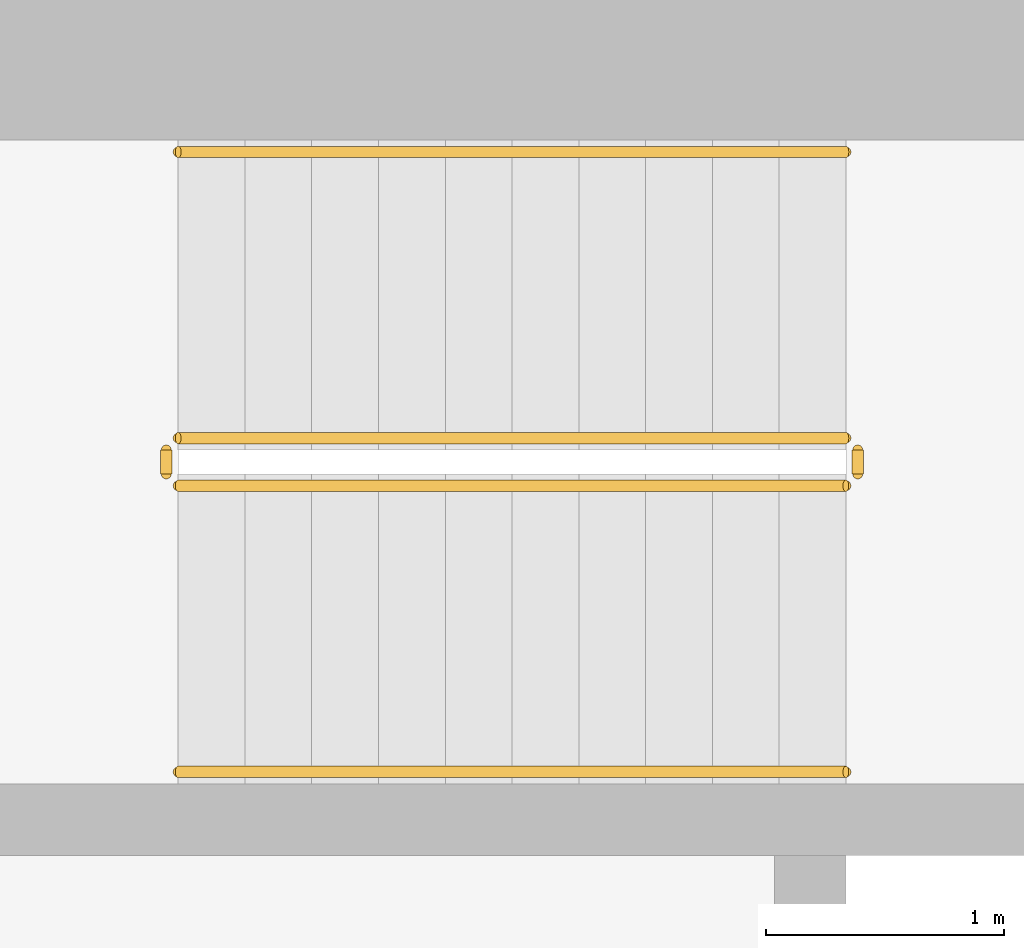
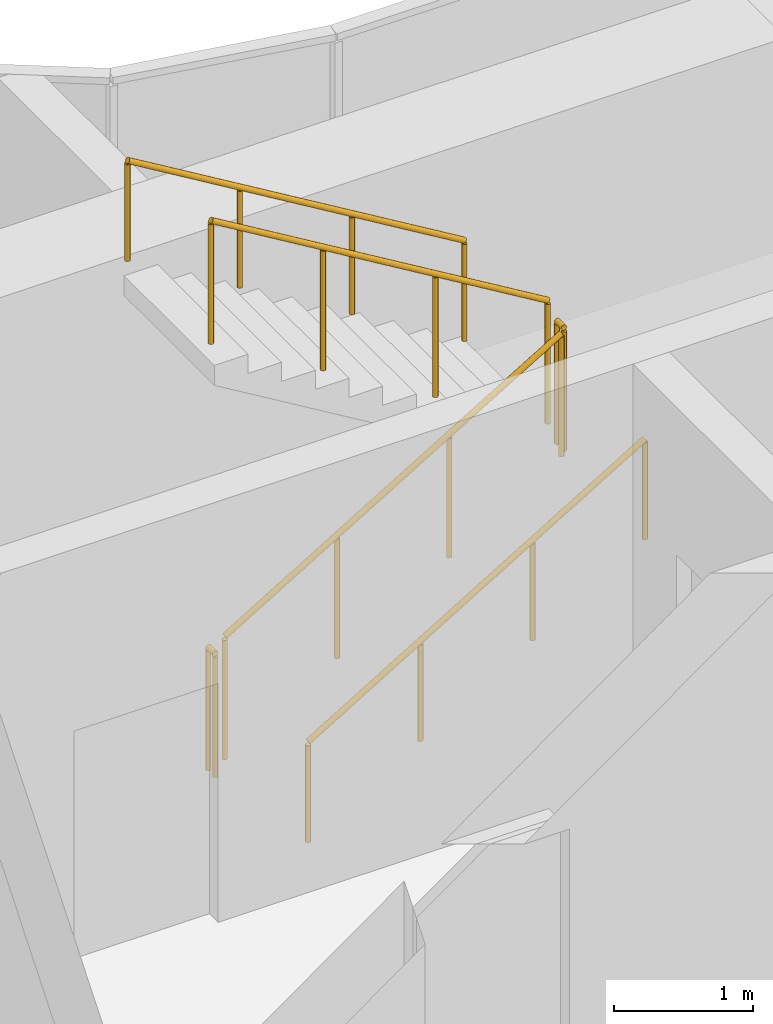
# One storey, part 19 of 23: 6 railings.
"""IFC4 building model written with IfcOpenShell, lengths in metres."""

from ifc_helpers import new_model, si_unit, direction, frame, origin, origin_2d, place, context, subcontext, project, spatial, circle, extrude, material, type_object, element, save


model = new_model("IFC4")

# Units and contexts
model_context = context("Model", 3, precision=1e-05, world=origin(), true_north=direction((0.0, 1.0)))
body_context = subcontext(model_context, "Body", "Model", "MODEL_VIEW")
ifc_project = project(units=[si_unit("LENGTHUNIT", "METRE"), si_unit("AREAUNIT", "SQUARE_METRE"), si_unit("VOLUMEUNIT", "CUBIC_METRE"), si_unit("PLANEANGLEUNIT", "RADIAN"), si_unit("MASSUNIT", "GRAM", prefix="KILO")], contexts=[model_context])

# Site, building, storey
site_placement = place(None, origin())
site = spatial("IfcSite", under=ifc_project, at=site_placement, CompositionType="ELEMENT")
building_placement = place(site_placement, origin())
building = spatial("IfcBuilding", under=site, at=building_placement, Name="Ogive Portal Towers", CompositionType="ELEMENT")
storey_placement = place(building_placement, frame((0.0, 0.0, 127.800048828125)))
storey = spatial("IfcBuildingStorey", under=building, at=storey_placement, Name="L31", CompositionType="ELEMENT", Elevation=127.800048828125)

# Railings
ifc_material_1 = material(Name="Stainless steel balustrade", Category="steel")
railing_type_1 = type_object("IfcRailingType", Name="INT-GUARD", PredefinedType="GUARDRAIL", material=ifc_material_1)
railing_1_placement = place(storey_placement, frame((52.550048828125, 37.60009765625, 0.168212890625)))
element("IfcRailing", 1, at=railing_1_placement, inside=storey, type_object=railing_type_1, Name="L31 ST-A2 stair guard 1", PredefinedType="GUARDRAIL", context=body_context, shape_type="SweptSolid", body=[
    extrude(circle(Radius=0.02392578125, at=origin_2d()), frame((0.0, 0.0, 1.076171875), z_axis=(0.857275202839, 0.0, 0.514858452973), x_axis=(0.0, 1.0, 0.0)), (0.0, 0.0, 1.0), 3.26611328125),
    extrude(circle(Radius=0.02099609375, at=origin_2d()), origin(), (0.0, 0.0, 1.0), 1.052001953125),
    extrude(circle(Radius=0.02099609375, at=origin_2d()), frame((0.933349609375, 0.0, 0.560546875)), (0.0, 0.0, 1.0), 1.052001953125),
    extrude(circle(Radius=0.02099609375, at=origin_2d()), frame((1.86669921875, 0.0, 1.12109375)), (0.0, 0.0, 1.0), 1.052001953125),
    extrude(circle(Radius=0.02099609375, at=origin_2d()), frame((2.800048828125, 0.0, 1.681640625)), (0.0, 0.0, 1.0), 1.052001953125),
])
railing_2_placement = place(storey_placement, frame((55.39990234375, 37.64990234375, 1.849853515625)))
element("IfcRailing", 2, at=railing_2_placement, inside=storey, type_object=railing_type_1, Name="L31 ST-A2 stair guard 2", PredefinedType="GUARDRAIL", context=body_context, shape_type="SweptSolid", body=[
    extrude(circle(Radius=0.02392578125, at=origin_2d()), frame((0.0, 0.0, 1.076171875), z_axis=(0.0, 1.0, 0.0), x_axis=(-1.0, 0.0, 0.0)), (0.0, 0.0, 1.0), 0.10009765625),
    extrude(circle(Radius=0.02099609375, at=origin_2d()), origin(), (0.0, 0.0, 1.0), 1.052001953125),
    extrude(circle(Radius=0.02099609375, at=origin_2d()), frame((0.0, 0.10009765625, 0.0)), (0.0, 0.0, 1.0), 1.052001953125),
])
railing_3_placement = place(storey_placement, frame((55.35009765625, 37.800048828125, 2.01806640625)))
element("IfcRailing", 3, at=railing_3_placement, inside=storey, type_object=railing_type_1, Name="L31 ST-A2 stair guard 3", PredefinedType="GUARDRAIL", context=body_context, shape_type="SweptSolid", body=[
    extrude(circle(Radius=0.02392578125, at=origin_2d()), frame((0.0, 0.0, 1.076171875), z_axis=(-0.857242210791, 0.0, 0.514913383045), x_axis=(0.0, -1.0, 0.0)), (0.0, 0.0, 1.0), 3.266357421875),
    extrude(circle(Radius=0.02099609375, at=origin_2d()), origin(), (0.0, 0.0, 1.0), 1.052001953125),
    extrude(circle(Radius=0.02099609375, at=origin_2d()), frame((-0.933349609375, 0.0, 0.560546875)), (0.0, 0.0, 1.0), 1.052001953125),
    extrude(circle(Radius=0.02099609375, at=origin_2d()), frame((-1.86669921875, 0.0, 1.121337890625)), (0.0, 0.0, 1.0), 1.052001953125),
    extrude(circle(Radius=0.02099609375, at=origin_2d()), frame((-2.800048828125, 0.0, 1.681884765625)), (0.0, 0.0, 1.0), 1.052001953125),
])
railing_4_placement = place(storey_placement, frame((52.5, 37.64990234375, 0.0)))
element("IfcRailing", 4, at=railing_4_placement, inside=storey, type_object=railing_type_1, Name="L31 ST-A2 stair guard 4", PredefinedType="GUARDRAIL", context=body_context, shape_type="SweptSolid", body=[
    extrude(circle(Radius=0.02392578125, at=origin_2d()), frame((0.0, 0.0, 1.076171875), z_axis=(0.0, 1.0, 0.0), x_axis=(-1.0, 0.0, 0.0)), (0.0, 0.0, 1.0), 0.10009765625),
    extrude(circle(Radius=0.02099609375, at=origin_2d()), origin(), (0.0, 0.0, 1.0), 1.052001953125),
    extrude(circle(Radius=0.02099609375, at=origin_2d()), frame((0.0, 0.10009765625, 0.0)), (0.0, 0.0, 1.0), 1.052001953125),
])
ifc_material_2 = material(Name="Stainless steel handrail", Category="steel")
railing_type_2 = type_object("IfcRailingType", Name="INT-HANDRAIL", PredefinedType="HANDRAIL", material=ifc_material_2)
railing_5_placement = place(storey_placement, frame((52.550048828125, 36.39990234375, 0.168212890625)))
element("IfcRailing", 5, at=railing_5_placement, inside=storey, type_object=railing_type_2, Name="L31 ST-A2 stair handrail 1", PredefinedType="HANDRAIL", context=body_context, shape_type="SweptSolid", body=[
    extrude(circle(Radius=0.02392578125, at=origin_2d()), frame((0.0, 0.0, 0.8759765625), z_axis=(0.857275202839, 0.0, 0.514858452973), x_axis=(0.0, 1.0, 0.0)), (0.0, 0.0, 1.0), 3.26611328125),
    extrude(circle(Radius=0.02099609375, at=origin_2d()), origin(), (0.0, 0.0, 1.0), 0.851806640625),
    extrude(circle(Radius=0.02099609375, at=origin_2d()), frame((0.933349609375, 0.0, 0.560546875)), (0.0, 0.0, 1.0), 0.851806640625),
    extrude(circle(Radius=0.02099609375, at=origin_2d()), frame((1.86669921875, 0.0, 1.12109375)), (0.0, 0.0, 1.0), 0.851806640625),
    extrude(circle(Radius=0.02099609375, at=origin_2d()), frame((2.800048828125, 0.0, 1.681640625)), (0.0, 0.0, 1.0), 0.851806640625),
])
railing_6_placement = place(storey_placement, frame((55.35009765625, 39.0, 2.01806640625)))
element("IfcRailing", 6, at=railing_6_placement, inside=storey, type_object=railing_type_2, Name="L31 ST-A2 stair handrail 2", PredefinedType="HANDRAIL", context=body_context, shape_type="SweptSolid", body=[
    extrude(circle(Radius=0.02392578125, at=origin_2d()), frame((0.0, 0.0, 0.8759765625), z_axis=(-0.857242210791, 0.0, 0.514913383045), x_axis=(0.0, -1.0, 0.0)), (0.0, 0.0, 1.0), 3.266357421875),
    extrude(circle(Radius=0.02099609375, at=origin_2d()), origin(), (0.0, 0.0, 1.0), 0.851806640625),
    extrude(circle(Radius=0.02099609375, at=origin_2d()), frame((-0.933349609375, 0.0, 0.560546875)), (0.0, 0.0, 1.0), 0.851806640625),
    extrude(circle(Radius=0.02099609375, at=origin_2d()), frame((-1.86669921875, 0.0, 1.121337890625)), (0.0, 0.0, 1.0), 0.851806640625),
    extrude(circle(Radius=0.02099609375, at=origin_2d()), frame((-2.800048828125, 0.0, 1.681884765625)), (0.0, 0.0, 1.0), 0.851806640625),
])

save(model, "model.ifc")
